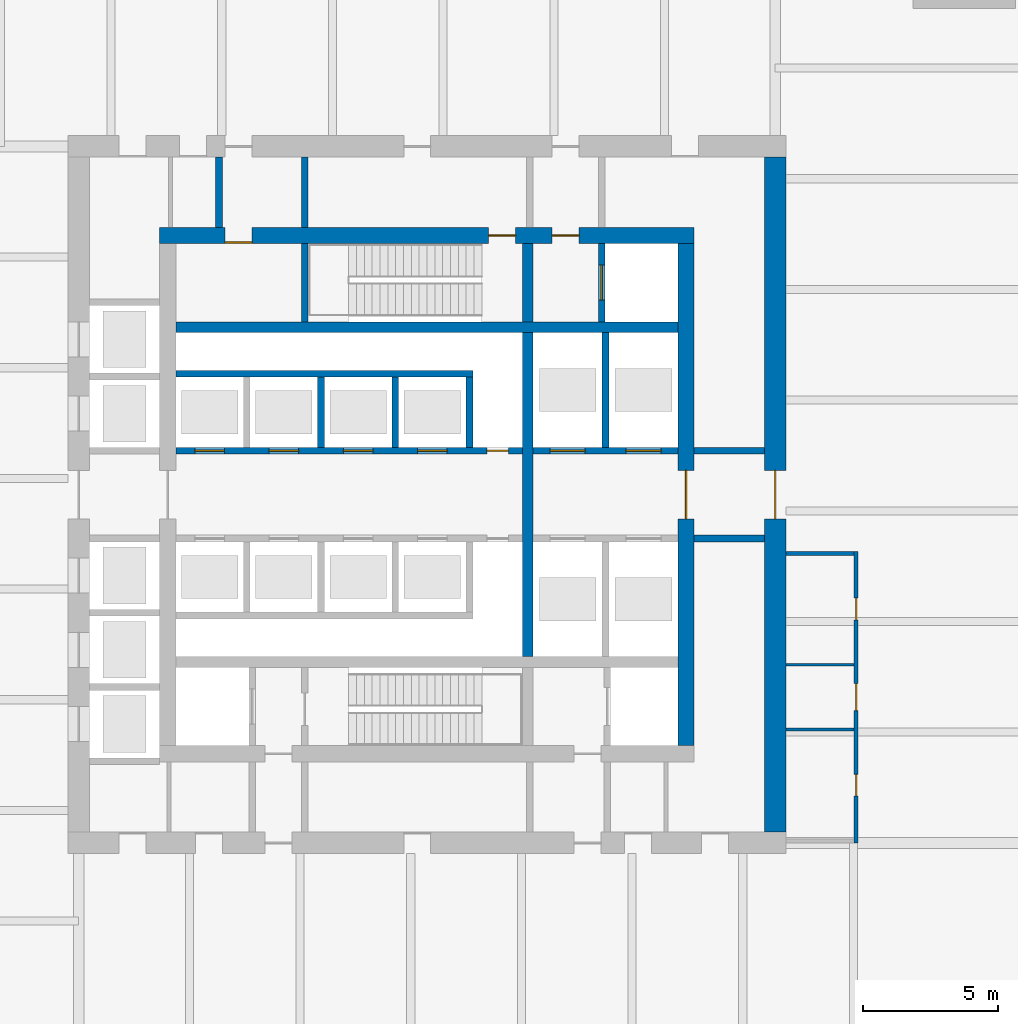
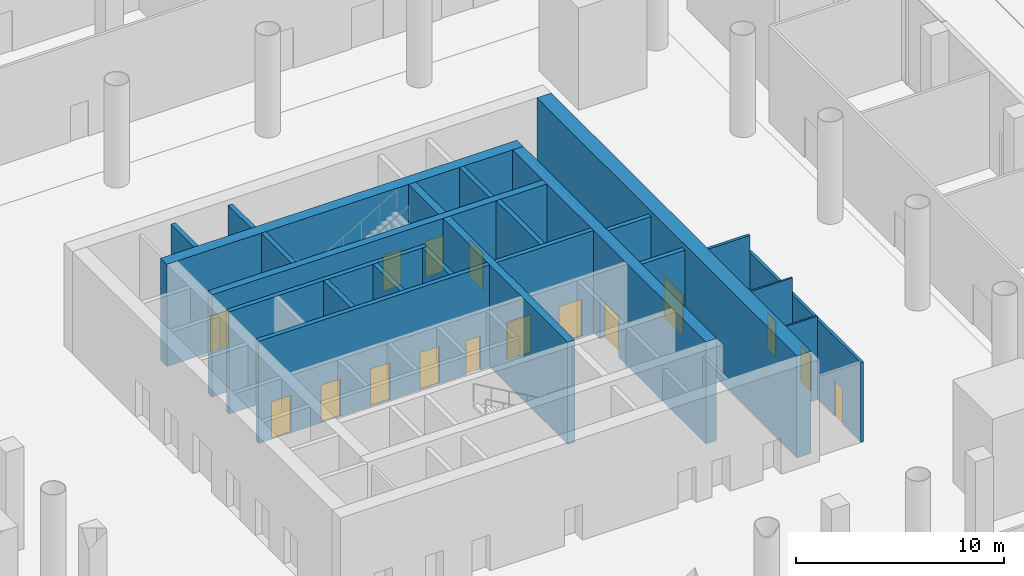
# One storey, part 26 of 39: 23 walls, 16 doors, 16 openings.
"""IFC4 building model written with IfcOpenShell, lengths in metres."""

from ifc_helpers import new_model, si_unit, direction, frame, frame_2d, origin, place, context, subcontext, project, spatial, rectangle, extrude, material, layer, layer_set, type_object, element, fill, save


model = new_model("IFC4")

# Units and contexts
model_context = context("Model", 3, precision=1e-05, world=origin(), true_north=direction((0.0, 1.0)))
body_context = subcontext(model_context, "Body", "Model", "MODEL_VIEW")
ifc_project = project(units=[si_unit("LENGTHUNIT", "METRE"), si_unit("AREAUNIT", "SQUARE_METRE"), si_unit("VOLUMEUNIT", "CUBIC_METRE"), si_unit("PLANEANGLEUNIT", "RADIAN"), si_unit("MASSUNIT", "GRAM", prefix="KILO")], contexts=[model_context])

# Site, building, storey
site_placement = place(None, origin())
site = spatial("IfcSite", under=ifc_project, at=site_placement, CompositionType="ELEMENT")
building_placement = place(site_placement, origin())
building = spatial("IfcBuilding", under=site, at=building_placement, Name="Ostroluk Exchange", CompositionType="ELEMENT")
storey_placement = place(building_placement, origin())
storey = spatial("IfcBuildingStorey", under=building, at=storey_placement, Name="L00", CompositionType="ELEMENT", Elevation=0.0)

# Walls
ifc_material_1 = material(Name="Concrete blockwork", Category="masonry")
ifc_layer_1 = layer(ifc_material_1, 0.10009765625)
ifc_layer_set_1 = layer_set([ifc_layer_1], Name="Blockwork WC wall 100")
wall_type_1 = type_object("IfcWallType", Name="Blockwork WC wall 100", PredefinedType="SOLIDWALL", material=ifc_layer_set_1)
wall_1_placement = place(storey_placement, frame((60.824951171875, 37.300048828125, 0.0), z_axis=(0.0, 0.0, 1.0), x_axis=(-1.0, 0.0, 0.0)))
element("IfcWall", 1, at=wall_1_placement, inside=storey, type_object=wall_type_1, Name="Blockwork WC wall", PredefinedType="SOLIDWALL", context=body_context, shape_type="SweptSolid", body=[
    extrude(rectangle(XDim=2.52490234375, YDim=0.10009765625, at=frame_2d((1.262451171875, 0.0))), origin(), (0.0, 0.0, 1.0), 4.89990234375),
])
wall_2_placement = place(storey_placement, frame((60.824951171875, 39.699951171875, 0.0), z_axis=(0.0, 0.0, 1.0), x_axis=(-1.0, 0.0, 0.0)))
element("IfcWall", 2, at=wall_2_placement, inside=storey, type_object=wall_type_1, Name="Blockwork WC wall", PredefinedType="SOLIDWALL", context=body_context, shape_type="SweptSolid", body=[
    extrude(rectangle(XDim=2.52490234375, YDim=0.10009765625, at=frame_2d((1.262451171875, 0.0))), origin(), (0.0, 0.0, 1.0), 5.699951171875),
])
ifc_material_2 = material(Name="Concrete blockwork", Category="masonry")
ifc_layer_2 = layer(ifc_material_2, 0.25)
ifc_layer_set_2 = layer_set([ifc_layer_2], Name="Blockwork stair enclosure wall 250")
wall_type_2 = type_object("IfcWallType", Name="Blockwork stair enclosure wall 250", PredefinedType="SOLIDWALL", material=ifc_layer_set_2)
for number, where, z_axis, x_axis, name in (
    (3, (54.89990234375, 44.375, 0.0), (0.0, 0.0, 1.0), (1.0, 0.0, 0.0), "Lift lobby enclosure wall"),
    (4, (54.89990234375, 47.625, 0.0), (0.0, 0.0, 1.0), (1.0, 0.0, 0.0), "Lift lobby enclosure wall"),
    (5, (40.47509765625, 55.89990234375, 0.0), (0.0, 0.0, 1.0), (0.0, 1.0, 0.0), "Stair lobby enclosure wall"),
    (6, (37.300048828125, 55.89990234375, 0.0), (0.0, 0.0, 1.0), (0.0, 1.0, 0.0), "Core corridor wall"),
):
    element("IfcWall", number, at=place(storey_placement, frame(where, z_axis=z_axis, x_axis=x_axis)), inside=storey, type_object=wall_type_2, Name=name, PredefinedType="SOLIDWALL", context=body_context, shape_type="SweptSolid", body=[
        extrude(rectangle(XDim=2.60009765625, YDim=0.25, at=frame_2d((1.300048828125, 0.0))), origin(), (0.0, 0.0, 1.0), 5.699951171875),
    ])
ifc_material_3 = material(Name="Concrete C50/60", Category="concrete")
ifc_layer_3 = layer(ifc_material_3, 0.39990234375)
ifc_layer_set_3 = layer_set([ifc_layer_3], Name="Core cross wall 400 C50/60")
wall_type_3 = type_object("IfcWallType", Name="Core cross wall 400 C50/60", PredefinedType="SHEAR", material=ifc_layer_set_3)
wall_3_placement = place(storey_placement, frame((35.699951171875, 52.199951171875, 0.0), z_axis=(0.0, 0.0, 1.0), x_axis=(1.0, 0.0, 0.0)))
element("IfcWall", 7, at=wall_3_placement, inside=storey, type_object=wall_type_3, Name="T1 core wall XN", PredefinedType="SHEAR", context=body_context, shape_type="SweptSolid", body=[
    extrude(rectangle(XDim=18.60009765625, YDim=0.39990234375, at=frame_2d((9.300048828125, 0.0))), origin(), (0.0, 0.0, 1.0), 6.0),
])
wall_4_placement = place(storey_placement, frame((48.72998046875, 40.0, 0.0), z_axis=(0.0, 0.0, 1.0), x_axis=(0.0, 1.0, 0.0)))
element("IfcWall", 8, at=wall_4_placement, inside=storey, type_object=wall_type_3, Name="T1 core wall YE2", PredefinedType="SHEAR", context=body_context, shape_type="SweptSolid", body=[
    extrude(rectangle(XDim=12.0, YDim=0.39990234375, at=frame_2d((6.0, 0.0))), origin(), (0.0, 0.0, 1.0), 6.0),
])
wall_5_placement = place(storey_placement, frame((48.72998046875, 52.39990234375, 0.0), z_axis=(0.0, 0.0, 1.0), x_axis=(0.0, 1.0, 0.0)))
element("IfcWall", 9, at=wall_5_placement, inside=storey, type_object=wall_type_3, Name="T1 core wall YE3", PredefinedType="SHEAR", context=body_context, shape_type="SweptSolid", body=[
    extrude(rectangle(XDim=2.900146484375, YDim=0.39990234375, at=frame_2d((1.4501953125, 0.0))), origin(), (0.0, 0.0, 1.0), 6.0),
])
ifc_material_4 = material(Name="Concrete C40/50", Category="concrete")
ifc_layer_4 = layer(ifc_material_4, 0.25)
ifc_layer_set_4 = layer_set([ifc_layer_4], Name="Core shaft wall 250")
wall_type_4 = type_object("IfcWallType", Name="Core shaft wall 250", PredefinedType="SHEAR", material=ifc_layer_set_4)
wall_6_placement = place(storey_placement, frame((40.47509765625, 52.39990234375, 0.0), z_axis=(0.0, 0.0, 1.0), x_axis=(0.0, 1.0, 0.0)))
element("IfcWall", 10, at=wall_6_placement, inside=storey, type_object=wall_type_4, Name="Stair shaft wall", PredefinedType="SHEAR", context=body_context, shape_type="SweptSolid", body=[
    extrude(rectangle(XDim=2.900146484375, YDim=0.25, at=frame_2d((1.4501953125, 0.0))), origin(), (0.0, 0.0, 1.0), 6.0),
])

# Wall, opening, door
wall_7_placement = place(storey_placement, frame((51.47509765625, 52.39990234375, 0.0), z_axis=(0.0, 0.0, 1.0), x_axis=(0.0, 1.0, 0.0)))
wall_7 = element("IfcWall", 11, at=wall_7_placement, inside=storey, type_object=wall_type_4, Name="Firefighting lift shaft wall", PredefinedType="SHEAR", context=body_context, shape_type="SweptSolid", body=[
    extrude(rectangle(XDim=2.900146484375, YDim=0.25, at=frame_2d((1.4501953125, 0.0))), origin(), (0.0, 0.0, 1.0), 6.0),
])
opening_1_placement = place(wall_7_placement, frame((0.800048828125, 0.0, 0.0)))
opening_1 = element("IfcOpeningElement", 12, at=opening_1_placement, cuts=wall_7, Name="Opening LD2", PredefinedType="OPENING", context=body_context, shape_type="SweptSolid", body=[
    extrude(rectangle(XDim=1.300048828125, YDim=2.199951171875, at=frame_2d((0.64990234375, 1.10009765625))), frame((0.0, 0.135009765625, 0.0), z_axis=(0.0, -1.0, 0.0), x_axis=(1.0, 0.0, 0.0)), (0.0, 0.0, 1.0), 0.27001953125),
])
ifc_material_5 = material(Name="Stainless steel", Category="steel")
door_type_1 = type_object("IfcDoorType", Name="Lift landing door E 60 1300 x 2200", OperationType="DOUBLE_DOOR_SLIDING", PredefinedType="DOOR", material=ifc_material_5)
door_1_placement = place(opening_1_placement, origin())
door_1 = element("IfcDoor", 13, at=door_1_placement, inside=storey, type_object=door_type_1, Name="Lift FL2 landing door", OperationType="DOUBLE_DOOR_SLIDING", OverallHeight=2.199951171875, OverallWidth=1.300048828125, PredefinedType="DOOR", context=body_context, shape_type="SweptSolid", body=[
    extrude(rectangle(XDim=1.300048828125, YDim=2.199951171875, at=frame_2d((0.64990234375, 1.10009765625))), frame((0.0, 0.02490234375, 0.0), z_axis=(0.0, -1.0, 0.0), x_axis=(1.0, 0.0, 0.0)), (0.0, 0.0, 1.0), 0.050048828125),
])
fill(opening_1, door_1)

# Walls
for number, where, z_axis, x_axis, name in (
    (14, (41.074951171875, 47.75, 0.0), (0.0, 0.0, 1.0), (0.0, 1.0, 0.0), "Lift shaft wall"),
    (15, (43.824951171875, 47.75, 0.0), (0.0, 0.0, 1.0), (0.0, 1.0, 0.0), "Lift shaft wall"),
    (16, (46.574951171875, 47.75, 0.0), (0.0, 0.0, 1.0), (0.0, 1.0, 0.0), "Lift shaft wall"),
):
    element("IfcWall", number, at=place(storey_placement, frame(where, z_axis=z_axis, x_axis=x_axis)), inside=storey, type_object=wall_type_4, Name=name, PredefinedType="SHEAR", context=body_context, shape_type="SweptSolid", body=[
        extrude(rectangle(XDim=2.60009765625, YDim=0.25, at=frame_2d((1.300048828125, 0.0))), origin(), (0.0, 0.0, 1.0), 6.0),
    ])
wall_8_placement = place(storey_placement, frame((35.699951171875, 50.47509765625, 0.0), z_axis=(0.0, 0.0, 1.0), x_axis=(1.0, 0.0, 0.0)))
element("IfcWall", 17, at=wall_8_placement, inside=storey, type_object=wall_type_4, Name="Lift shaft wall", PredefinedType="SHEAR", context=body_context, shape_type="SweptSolid", body=[
    extrude(rectangle(XDim=11.0, YDim=0.25, at=frame_2d((5.5, 0.0))), origin(), (0.0, 0.0, 1.0), 6.0),
])

# Wall, openings, doors
wall_9_placement = place(storey_placement, frame((35.699951171875, 47.625, 0.0), z_axis=(0.0, 0.0, 1.0), x_axis=(1.0, 0.0, 0.0)))
wall_9 = element("IfcWall", 18, at=wall_9_placement, inside=storey, type_object=wall_type_4, Name="Lift shaft front wall", PredefinedType="SHEAR", context=body_context, shape_type="SweptSolid", body=[
    extrude(rectangle(XDim=12.830078125, YDim=0.25, at=frame_2d((6.4150390625, 0.0))), origin(), (0.0, 0.0, 1.0), 6.0),
])
opening_2_placement = place(wall_9_placement, frame((0.699951171875, 0.0, 0.0)))
opening_2 = element("IfcOpeningElement", 19, at=opening_2_placement, cuts=wall_9, Name="Opening LD", PredefinedType="OPENING", context=body_context, shape_type="SweptSolid", body=[
    extrude(rectangle(XDim=1.10009765625, YDim=2.199951171875, at=frame_2d((0.550048828125, 1.10009765625))), frame((0.0, 0.135009765625, 0.0), z_axis=(0.0, -1.0, 0.0), x_axis=(1.0, 0.0, 0.0)), (0.0, 0.0, 1.0), 0.27001953125),
])
opening_3_placement = place(wall_9_placement, frame((3.449951171875, 0.0, 0.0)))
opening_3 = element("IfcOpeningElement", 20, at=opening_3_placement, cuts=wall_9, Name="Opening LD", PredefinedType="OPENING", context=body_context, shape_type="SweptSolid", body=[
    extrude(rectangle(XDim=1.10009765625, YDim=2.199951171875, at=frame_2d((0.550048828125, 1.10009765625))), frame((0.0, 0.135009765625, 0.0), z_axis=(0.0, -1.0, 0.0), x_axis=(1.0, 0.0, 0.0)), (0.0, 0.0, 1.0), 0.27001953125),
])
opening_4_placement = place(wall_9_placement, frame((6.199951171875, 0.0, 0.0)))
opening_4 = element("IfcOpeningElement", 21, at=opening_4_placement, cuts=wall_9, Name="Opening LD", PredefinedType="OPENING", context=body_context, shape_type="SweptSolid", body=[
    extrude(rectangle(XDim=1.10009765625, YDim=2.199951171875, at=frame_2d((0.550048828125, 1.10009765625))), frame((0.0, 0.135009765625, 0.0), z_axis=(0.0, -1.0, 0.0), x_axis=(1.0, 0.0, 0.0)), (0.0, 0.0, 1.0), 0.27001953125),
])
opening_5_placement = place(wall_9_placement, frame((8.949951171875, 0.0, 0.0)))
opening_5 = element("IfcOpeningElement", 22, at=opening_5_placement, cuts=wall_9, Name="Opening LD", PredefinedType="OPENING", context=body_context, shape_type="SweptSolid", body=[
    extrude(rectangle(XDim=1.10009765625, YDim=2.199951171875, at=frame_2d((0.550048828125, 1.10009765625))), frame((0.0, 0.135009765625, 0.0), z_axis=(0.0, -1.0, 0.0), x_axis=(1.0, 0.0, 0.0)), (0.0, 0.0, 1.0), 0.27001953125),
])
opening_6_placement = place(wall_9_placement, frame((11.514892578125, 0.0, 0.0)))
opening_6 = element("IfcOpeningElement", 23, at=opening_6_placement, cuts=wall_9, Name="Opening RD60", PredefinedType="OPENING", context=body_context, shape_type="SweptSolid", body=[
    extrude(rectangle(XDim=0.800048828125, YDim=2.0, at=frame_2d((0.39990234375, 1.0))), frame((0.0, 0.135009765625, 0.0), z_axis=(0.0, -1.0, 0.0), x_axis=(1.0, 0.0, 0.0)), (0.0, 0.0, 1.0), 0.27001953125),
])
ifc_material_6 = material(Name="Stainless steel", Category="steel")
door_type_2 = type_object("IfcDoorType", Name="Lift landing door E 60 1100 x 2200", OperationType="DOUBLE_DOOR_SLIDING", PredefinedType="DOOR", material=ifc_material_6)
door_2_placement = place(opening_2_placement, origin())
door_2 = element("IfcDoor", 24, at=door_2_placement, inside=storey, type_object=door_type_2, Name="Lift PL-L1 landing door", OperationType="DOUBLE_DOOR_SLIDING", OverallHeight=2.199951171875, OverallWidth=1.10009765625, PredefinedType="DOOR", context=body_context, shape_type="SweptSolid", body=[
    extrude(rectangle(XDim=1.10009765625, YDim=2.199951171875, at=frame_2d((0.550048828125, 1.10009765625))), frame((0.0, 0.02490234375, 0.0), z_axis=(0.0, -1.0, 0.0), x_axis=(1.0, 0.0, 0.0)), (0.0, 0.0, 1.0), 0.050048828125),
])
fill(opening_2, door_2)
door_3_placement = place(opening_3_placement, origin())
door_3 = element("IfcDoor", 25, at=door_3_placement, inside=storey, type_object=door_type_2, Name="Lift PL-L2 landing door", OperationType="DOUBLE_DOOR_SLIDING", OverallHeight=2.199951171875, OverallWidth=1.10009765625, PredefinedType="DOOR", context=body_context, shape_type="SweptSolid", body=[
    extrude(rectangle(XDim=1.10009765625, YDim=2.199951171875, at=frame_2d((0.550048828125, 1.10009765625))), frame((0.0, 0.02490234375, 0.0), z_axis=(0.0, -1.0, 0.0), x_axis=(1.0, 0.0, 0.0)), (0.0, 0.0, 1.0), 0.050048828125),
])
fill(opening_3, door_3)
door_4_placement = place(opening_4_placement, origin())
door_4 = element("IfcDoor", 26, at=door_4_placement, inside=storey, type_object=door_type_2, Name="Lift PL-L3 landing door", OperationType="DOUBLE_DOOR_SLIDING", OverallHeight=2.199951171875, OverallWidth=1.10009765625, PredefinedType="DOOR", context=body_context, shape_type="SweptSolid", body=[
    extrude(rectangle(XDim=1.10009765625, YDim=2.199951171875, at=frame_2d((0.550048828125, 1.10009765625))), frame((0.0, 0.02490234375, 0.0), z_axis=(0.0, -1.0, 0.0), x_axis=(1.0, 0.0, 0.0)), (0.0, 0.0, 1.0), 0.050048828125),
])
fill(opening_4, door_4)
door_5_placement = place(opening_5_placement, origin())
door_5 = element("IfcDoor", 27, at=door_5_placement, inside=storey, type_object=door_type_2, Name="Lift PL-L4 landing door", OperationType="DOUBLE_DOOR_SLIDING", OverallHeight=2.199951171875, OverallWidth=1.10009765625, PredefinedType="DOOR", context=body_context, shape_type="SweptSolid", body=[
    extrude(rectangle(XDim=1.10009765625, YDim=2.199951171875, at=frame_2d((0.550048828125, 1.10009765625))), frame((0.0, 0.02490234375, 0.0), z_axis=(0.0, -1.0, 0.0), x_axis=(1.0, 0.0, 0.0)), (0.0, 0.0, 1.0), 0.050048828125),
])
fill(opening_5, door_5)
ifc_material_7 = material(Name="Steel", Category="steel")
door_type_3 = type_object("IfcDoorType", Name="Riser access door EI 60 800 x 2000", OperationType="SINGLE_SWING_LEFT", PredefinedType="DOOR", material=ifc_material_7)
door_6_placement = place(opening_6_placement, origin())
door_6 = element("IfcDoor", 28, at=door_6_placement, inside=storey, type_object=door_type_3, Name="Riser access door", OperationType="SINGLE_SWING_RIGHT", OverallHeight=2.0, OverallWidth=0.800048828125, PredefinedType="DOOR", context=body_context, shape_type="SweptSolid", body=[
    extrude(rectangle(XDim=0.800048828125, YDim=2.0, at=frame_2d((0.39990234375, 1.0))), frame((0.0, 0.02490234375, 0.0), z_axis=(0.0, -1.0, 0.0), x_axis=(1.0, 0.0, 0.0)), (0.0, 0.0, 1.0), 0.050048828125),
])
fill(opening_6, door_6)

# Wall
wall_10_placement = place(storey_placement, frame((51.614990234375, 47.75, 0.0), z_axis=(0.0, 0.0, 1.0), x_axis=(0.0, 1.0, 0.0)))
element("IfcWall", 29, at=wall_10_placement, inside=storey, type_object=wall_type_4, Name="Lift shaft wall", PredefinedType="SHEAR", context=body_context, shape_type="SweptSolid", body=[
    extrude(rectangle(XDim=4.25, YDim=0.25, at=frame_2d((2.125, 0.0))), origin(), (0.0, 0.0, 1.0), 6.0),
])

# Wall, openings, doors
wall_11_placement = place(storey_placement, frame((48.929931640625, 47.625, 0.0), z_axis=(0.0, 0.0, 1.0), x_axis=(1.0, 0.0, 0.0)))
wall_11 = element("IfcWall", 30, at=wall_11_placement, inside=storey, type_object=wall_type_4, Name="Lift shaft front wall", PredefinedType="SHEAR", context=body_context, shape_type="SweptSolid", body=[
    extrude(rectangle(XDim=5.3701171875, YDim=0.25, at=frame_2d((2.68505859375, 0.0))), origin(), (0.0, 0.0, 1.0), 6.0),
])
opening_7_placement = place(wall_11_placement, frame((0.6298828125, 0.0, 0.0)))
opening_7 = element("IfcOpeningElement", 31, at=opening_7_placement, cuts=wall_11, Name="Opening LD2", PredefinedType="OPENING", context=body_context, shape_type="SweptSolid", body=[
    extrude(rectangle(XDim=1.300048828125, YDim=2.199951171875, at=frame_2d((0.64990234375, 1.10009765625))), frame((0.0, 0.135009765625, 0.0), z_axis=(0.0, -1.0, 0.0), x_axis=(1.0, 0.0, 0.0)), (0.0, 0.0, 1.0), 0.27001953125),
])
opening_8_placement = place(wall_11_placement, frame((3.43994140625, 0.0, 0.0)))
opening_8 = element("IfcOpeningElement", 32, at=opening_8_placement, cuts=wall_11, Name="Opening LD2", PredefinedType="OPENING", context=body_context, shape_type="SweptSolid", body=[
    extrude(rectangle(XDim=1.300048828125, YDim=2.199951171875, at=frame_2d((0.64990234375, 1.10009765625))), frame((0.0, 0.135009765625, 0.0), z_axis=(0.0, -1.0, 0.0), x_axis=(1.0, 0.0, 0.0)), (0.0, 0.0, 1.0), 0.27001953125),
])
door_7_placement = place(opening_7_placement, origin())
door_7 = element("IfcDoor", 33, at=door_7_placement, inside=storey, type_object=door_type_1, Name="Lift SX1 landing door", OperationType="DOUBLE_DOOR_SLIDING", OverallHeight=2.199951171875, OverallWidth=1.300048828125, PredefinedType="DOOR", context=body_context, shape_type="SweptSolid", body=[
    extrude(rectangle(XDim=1.300048828125, YDim=2.199951171875, at=frame_2d((0.64990234375, 1.10009765625))), frame((0.0, 0.02490234375, 0.0), z_axis=(0.0, -1.0, 0.0), x_axis=(1.0, 0.0, 0.0)), (0.0, 0.0, 1.0), 0.050048828125),
])
fill(opening_7, door_7)
door_8_placement = place(opening_8_placement, origin())
door_8 = element("IfcDoor", 34, at=door_8_placement, inside=storey, type_object=door_type_1, Name="Lift SX2 landing door", OperationType="DOUBLE_DOOR_SLIDING", OverallHeight=2.199951171875, OverallWidth=1.300048828125, PredefinedType="DOOR", context=body_context, shape_type="SweptSolid", body=[
    extrude(rectangle(XDim=1.300048828125, YDim=2.199951171875, at=frame_2d((0.64990234375, 1.10009765625))), frame((0.0, 0.02490234375, 0.0), z_axis=(0.0, -1.0, 0.0), x_axis=(1.0, 0.0, 0.0)), (0.0, 0.0, 1.0), 0.050048828125),
])
fill(opening_8, door_8)

ifc_material_8 = material(Name="Concrete C50/60", Category="concrete")
ifc_layer_5 = layer(ifc_material_8, 0.60009765625)
ifc_layer_set_5 = layer_set([ifc_layer_5], Name="Core wall 600 C50/60")
wall_type_5 = type_object("IfcWallType", Name="Core wall 600 C50/60", PredefinedType="SHEAR", material=ifc_layer_set_5)
wall_12_placement = place(storey_placement, frame((35.10009765625, 55.60009765625, 0.0), z_axis=(0.0, 0.0, 1.0), x_axis=(1.0, 0.0, 0.0)))
wall_12 = element("IfcWall", 35, at=wall_12_placement, inside=storey, type_object=wall_type_5, Name="T1 core wall N", PredefinedType="SHEAR", context=body_context, shape_type="SweptSolid", body=[
    extrude(rectangle(XDim=19.7998046875, YDim=0.60009765625, at=frame_2d((9.89990234375, 0.0))), origin(), (0.0, 0.0, 1.0), 6.0),
])
opening_9_placement = place(wall_12_placement, frame((14.5400390625, 0.0, 0.0)))
opening_9 = element("IfcOpeningElement", 36, at=opening_9_placement, cuts=wall_12, Name="Opening FD60", PredefinedType="OPENING", context=body_context, shape_type="SweptSolid", body=[
    extrude(rectangle(XDim=1.0, YDim=2.10009765625, at=frame_2d((0.5, 1.050048828125))), frame((0.0, 0.31005859375, 0.0), z_axis=(0.0, -1.0, 0.0), x_axis=(1.0, 0.0, 0.0)), (0.0, 0.0, 1.0), 0.6201171875),
])
opening_10_placement = place(wall_12_placement, frame((12.179931640625, 0.0, 0.0)))
opening_10 = element("IfcOpeningElement", 37, at=opening_10_placement, cuts=wall_12, Name="Opening FD60", PredefinedType="OPENING", context=body_context, shape_type="SweptSolid", body=[
    extrude(rectangle(XDim=1.0, YDim=2.10009765625, at=frame_2d((0.5, 1.050048828125))), frame((0.0, 0.31005859375, 0.0), z_axis=(0.0, -1.0, 0.0), x_axis=(1.0, 0.0, 0.0)), (0.0, 0.0, 1.0), 0.6201171875),
])
opening_11_placement = place(wall_12_placement, frame((2.425048828125, 0.0, 0.0)))
opening_11 = element("IfcOpeningElement", 38, at=opening_11_placement, cuts=wall_12, Name="Opening FD60", PredefinedType="OPENING", context=body_context, shape_type="SweptSolid", body=[
    extrude(rectangle(XDim=1.0, YDim=2.10009765625, at=frame_2d((0.5, 1.050048828125))), frame((0.0, 0.31005859375, 0.0), z_axis=(0.0, -1.0, 0.0), x_axis=(1.0, 0.0, 0.0)), (0.0, 0.0, 1.0), 0.6201171875),
])
ifc_material_9 = material(Name="Steel", Category="steel")
door_type_4 = type_object("IfcDoorType", Name="Fire door EI 60 1000 x 2100", OperationType="SINGLE_SWING_LEFT", PredefinedType="DOOR", material=ifc_material_9)
door_9_placement = place(opening_9_placement, origin())
door_9 = element("IfcDoor", 39, at=door_9_placement, inside=storey, type_object=door_type_4, Name="Firefighting lobby door", OperationType="SINGLE_SWING_RIGHT", OverallHeight=2.10009765625, OverallWidth=1.0, PredefinedType="DOOR", context=body_context, shape_type="SweptSolid", body=[
    extrude(rectangle(XDim=1.0, YDim=2.10009765625, at=frame_2d((0.5, 1.050048828125))), frame((0.0, 0.02490234375, 0.0), z_axis=(0.0, -1.0, 0.0), x_axis=(1.0, 0.0, 0.0)), (0.0, 0.0, 1.0), 0.050048828125),
])
fill(opening_9, door_9)
door_10_placement = place(opening_10_placement, origin())
door_10 = element("IfcDoor", 40, at=door_10_placement, inside=storey, type_object=door_type_4, Name="Stair T1-S2 door", OperationType="SINGLE_SWING_RIGHT", OverallHeight=2.10009765625, OverallWidth=1.0, PredefinedType="DOOR", context=body_context, shape_type="SweptSolid", body=[
    extrude(rectangle(XDim=1.0, YDim=2.10009765625, at=frame_2d((0.5, 1.050048828125))), frame((0.0, 0.02490234375, 0.0), z_axis=(0.0, -1.0, 0.0), x_axis=(1.0, 0.0, 0.0)), (0.0, 0.0, 1.0), 0.050048828125),
])
fill(opening_10, door_10)
door_11_placement = place(opening_11_placement, origin())
door_11 = element("IfcDoor", 41, at=door_11_placement, inside=storey, type_object=door_type_4, Name="Security equipment store door", OperationType="SINGLE_SWING_LEFT", OverallHeight=2.10009765625, OverallWidth=1.0, PredefinedType="DOOR", context=body_context, shape_type="SweptSolid", body=[
    extrude(rectangle(XDim=1.0, YDim=2.10009765625, at=frame_2d((0.5, 1.050048828125))), frame((0.0, -0.23974609375, 0.0), z_axis=(0.0, -1.0, 0.0), x_axis=(1.0, 0.0, 0.0)), (0.0, 0.0, 1.0), 0.050048828125),
])
fill(opening_11, door_11)

# Wall, opening, door
wall_13_placement = place(storey_placement, frame((54.60009765625, 36.699951171875, 0.0), z_axis=(0.0, 0.0, 1.0), x_axis=(0.0, 1.0, 0.0)))
wall_13 = element("IfcWall", 42, at=wall_13_placement, inside=storey, type_object=wall_type_5, Name="T1 core wall E", PredefinedType="SHEAR", context=body_context, shape_type="SweptSolid", body=[
    extrude(rectangle(XDim=18.60009765625, YDim=0.60009765625, at=frame_2d((9.300048828125, 0.0))), origin(), (0.0, 0.0, 1.0), 6.0),
])
opening_12_placement = place(wall_13_placement, frame((8.39990234375, 0.0, 0.0)))
opening_12 = element("IfcOpeningElement", 43, at=opening_12_placement, cuts=wall_13, Name="Opening FD30D", PredefinedType="OPENING", context=body_context, shape_type="SweptSolid", body=[
    extrude(rectangle(XDim=1.800048828125, YDim=2.39990234375, at=frame_2d((0.89990234375, 1.199951171875))), frame((0.0, 0.31005859375, 0.0), z_axis=(0.0, -1.0, 0.0), x_axis=(1.0, 0.0, 0.0)), (0.0, 0.0, 1.0), 0.6201171875),
])
ifc_material_10 = material(Name="Timber", Category="wood")
door_type_5 = type_object("IfcDoorType", Name="Lobby double door EI 30 1800 x 2400", OperationType="DOUBLE_DOOR_SINGLE_SWING", PredefinedType="DOOR", material=ifc_material_10)
door_12_placement = place(opening_12_placement, origin())
door_12 = element("IfcDoor", 44, at=door_12_placement, inside=storey, type_object=door_type_5, Name="Lift lobby doors", OperationType="DOUBLE_DOOR_SINGLE_SWING", OverallHeight=2.39990234375, OverallWidth=1.800048828125, PredefinedType="DOOR", context=body_context, shape_type="SweptSolid", body=[
    extrude(rectangle(XDim=1.800048828125, YDim=2.39990234375, at=frame_2d((0.89990234375, 1.199951171875))), frame((0.0, 0.02490234375, 0.0), z_axis=(0.0, -1.0, 0.0), x_axis=(1.0, 0.0, 0.0)), (0.0, 0.0, 1.0), 0.050048828125),
])
fill(opening_12, door_12)

ifc_material_11 = material(Name="Concrete C50/60", Category="concrete")
ifc_layer_6 = layer(ifc_material_11, 0.800048828125)
ifc_layer_set_6 = layer_set([ifc_layer_6], Name="Core wall 800 C50/60")
wall_type_6 = type_object("IfcWallType", Name="Core wall 800 C50/60", PredefinedType="SHEAR", material=ifc_layer_set_6)
wall_14_placement = place(storey_placement, frame((57.89990234375, 33.5, 0.0), z_axis=(0.0, 0.0, 1.0), x_axis=(0.0, 1.0, 0.0)))
wall_14 = element("IfcWall", 45, at=wall_14_placement, inside=storey, type_object=wall_type_6, Name="T1 core wall RE", PredefinedType="SHEAR", context=body_context, shape_type="SweptSolid", body=[
    extrude(rectangle(XDim=25.0, YDim=0.800048828125, at=frame_2d((12.5, 0.0))), origin(), (0.0, 0.0, 1.0), 6.0),
])
opening_13_placement = place(wall_14_placement, frame((11.60009765625, 0.0, 0.0)))
opening_13 = element("IfcOpeningElement", 46, at=opening_13_placement, cuts=wall_14, Name="Opening FD30D", PredefinedType="OPENING", context=body_context, shape_type="SweptSolid", body=[
    extrude(rectangle(XDim=1.800048828125, YDim=2.39990234375, at=frame_2d((0.89990234375, 1.199951171875))), frame((0.0, 0.409912109375, 0.0), z_axis=(0.0, -1.0, 0.0), x_axis=(1.0, 0.0, 0.0)), (0.0, 0.0, 1.0), 0.820068359375),
])
door_13_placement = place(opening_13_placement, origin())
door_13 = element("IfcDoor", 47, at=door_13_placement, inside=storey, type_object=door_type_5, Name="Lift lobby doors", OperationType="DOUBLE_DOOR_SINGLE_SWING", OverallHeight=2.39990234375, OverallWidth=1.800048828125, PredefinedType="DOOR", context=body_context, shape_type="SweptSolid", body=[
    extrude(rectangle(XDim=1.800048828125, YDim=2.39990234375, at=frame_2d((0.89990234375, 1.199951171875))), frame((0.0, 0.02490234375, 0.0), z_axis=(0.0, -1.0, 0.0), x_axis=(1.0, 0.0, 0.0)), (0.0, 0.0, 1.0), 0.050048828125),
])
fill(opening_13, door_13)

# Wall, openings, doors
ifc_material_12 = material(Name="Gypsum plasterboard partition, moisture resistant", Category="gypsum")
ifc_layer_7 = layer(ifc_material_12, 0.14990234375)
ifc_layer_set_7 = layer_set([ifc_layer_7], Name="Plasterboard toilet partition 150")
wall_type_7 = type_object("IfcWallType", Name="Plasterboard toilet partition 150", PredefinedType="PARTITIONING", material=ifc_layer_set_7)
wall_15_placement = place(storey_placement, frame((60.89990234375, 33.10009765625, 0.0), z_axis=(0.0, 0.0, 1.0), x_axis=(0.0, 1.0, 0.0)))
wall_15 = element("IfcWall", 48, at=wall_15_placement, inside=storey, type_object=wall_type_7, Name="Toilet partition", PredefinedType="PARTITIONING", context=body_context, shape_type="SweptSolid", body=[
    extrude(rectangle(XDim=10.7998046875, YDim=0.14990234375, at=frame_2d((5.39990234375, 0.0))), origin(), (0.0, 0.0, 1.0), 4.68798828125),
])
opening_14_placement = place(wall_15_placement, frame((1.737548828125, 0.0, 0.0)))
opening_14 = element("IfcOpeningElement", 49, at=opening_14_placement, cuts=wall_15, Name="Opening D-06", PredefinedType="OPENING", context=body_context, shape_type="SweptSolid", body=[
    extrude(rectangle(XDim=0.800048828125, YDim=2.10009765625, at=frame_2d((0.39990234375, 1.050048828125))), frame((0.0, 0.0849609375, 0.0), z_axis=(0.0, -1.0, 0.0), x_axis=(1.0, 0.0, 0.0)), (0.0, 0.0, 1.0), 0.169921875),
])
opening_15_placement = place(wall_15_placement, frame((4.89990234375, 0.0, 0.0)))
opening_15 = element("IfcOpeningElement", 50, at=opening_15_placement, cuts=wall_15, Name="Opening D-03", PredefinedType="OPENING", context=body_context, shape_type="SweptSolid", body=[
    extrude(rectangle(XDim=1.0, YDim=2.10009765625, at=frame_2d((0.5, 1.050048828125))), frame((0.0, 0.0849609375, 0.0), z_axis=(0.0, -1.0, 0.0), x_axis=(1.0, 0.0, 0.0)), (0.0, 0.0, 1.0), 0.169921875),
])
opening_16_placement = place(wall_15_placement, frame((8.262451171875, 0.0, 0.0)))
opening_16 = element("IfcOpeningElement", 51, at=opening_16_placement, cuts=wall_15, Name="Opening D-06", PredefinedType="OPENING", context=body_context, shape_type="SweptSolid", body=[
    extrude(rectangle(XDim=0.800048828125, YDim=2.10009765625, at=frame_2d((0.39990234375, 1.050048828125))), frame((0.0, 0.0849609375, 0.0), z_axis=(0.0, -1.0, 0.0), x_axis=(1.0, 0.0, 0.0)), (0.0, 0.0, 1.0), 0.169921875),
])
ifc_material_13 = material(Name="Timber", Category="wood")
door_type_6 = type_object("IfcDoorType", Name="Internal door 1000 x 2100", OperationType="SINGLE_SWING_LEFT", PredefinedType="DOOR", material=ifc_material_13)
door_14_placement = place(opening_15_placement, origin())
door_14 = element("IfcDoor", 52, at=door_14_placement, inside=storey, type_object=door_type_6, Name="Accessible WC door", OperationType="SINGLE_SWING_RIGHT", OverallHeight=2.10009765625, OverallWidth=1.0, PredefinedType="DOOR", context=body_context, shape_type="SweptSolid", body=[
    extrude(rectangle(XDim=1.0, YDim=2.10009765625, at=frame_2d((0.5, 1.050048828125))), frame((0.0, 0.02490234375, 0.0), z_axis=(0.0, -1.0, 0.0), x_axis=(1.0, 0.0, 0.0)), (0.0, 0.0, 1.0), 0.050048828125),
])
fill(opening_15, door_14)
ifc_material_14 = material(Name="Timber", Category="wood")
door_type_7 = type_object("IfcDoorType", Name="Toilet door 800 x 2100", OperationType="SINGLE_SWING_LEFT", PredefinedType="DOOR", material=ifc_material_14)
door_15_placement = place(opening_14_placement, origin())
door_15 = element("IfcDoor", 53, at=door_15_placement, inside=storey, type_object=door_type_7, Name="WC female door", OperationType="SINGLE_SWING_LEFT", OverallHeight=2.10009765625, OverallWidth=0.800048828125, PredefinedType="DOOR", context=body_context, shape_type="SweptSolid", body=[
    extrude(rectangle(XDim=0.800048828125, YDim=2.10009765625, at=frame_2d((0.39990234375, 1.050048828125))), frame((0.0, 0.02490234375, 0.0), z_axis=(0.0, -1.0, 0.0), x_axis=(1.0, 0.0, 0.0)), (0.0, 0.0, 1.0), 0.050048828125),
])
fill(opening_14, door_15)
door_16_placement = place(opening_16_placement, origin())
door_16 = element("IfcDoor", 54, at=door_16_placement, inside=storey, type_object=door_type_7, Name="WC male door", OperationType="SINGLE_SWING_RIGHT", OverallHeight=2.10009765625, OverallWidth=0.800048828125, PredefinedType="DOOR", context=body_context, shape_type="SweptSolid", body=[
    extrude(rectangle(XDim=0.800048828125, YDim=2.10009765625, at=frame_2d((0.39990234375, 1.050048828125))), frame((0.0, 0.02490234375, 0.0), z_axis=(0.0, -1.0, 0.0), x_axis=(1.0, 0.0, 0.0)), (0.0, 0.0, 1.0), 0.050048828125),
])
fill(opening_16, door_16)

# Wall
wall_16_placement = place(storey_placement, frame((60.824951171875, 43.824951171875, 0.0), z_axis=(0.0, 0.0, 1.0), x_axis=(-1.0, 0.0, 0.0)))
element("IfcWall", 55, at=wall_16_placement, inside=storey, type_object=wall_type_7, Name="Toilet partition", PredefinedType="PARTITIONING", context=body_context, shape_type="SweptSolid", body=[
    extrude(rectangle(XDim=2.52490234375, YDim=0.14990234375, at=frame_2d((1.262451171875, 0.0))), origin(), (0.0, 0.0, 1.0), 5.699951171875),
])

save(model, "model.ifc")
